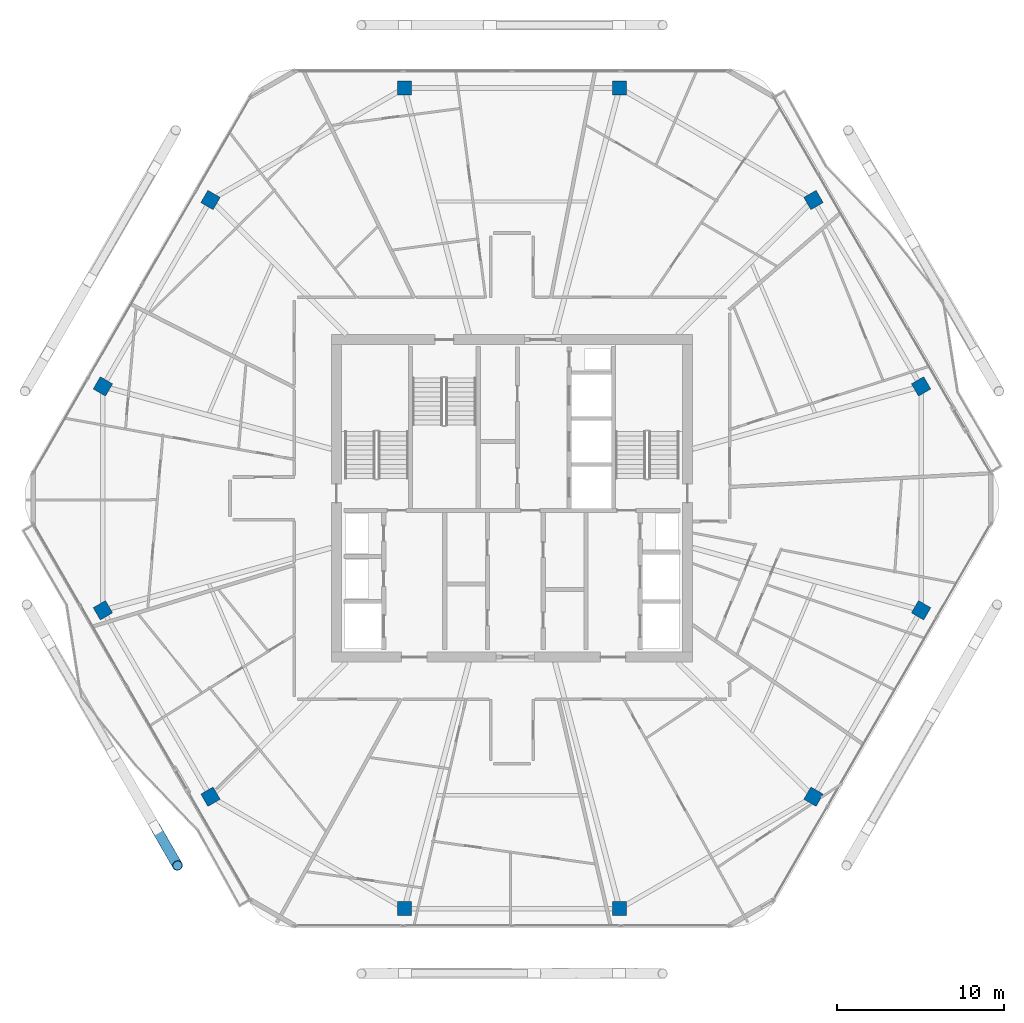
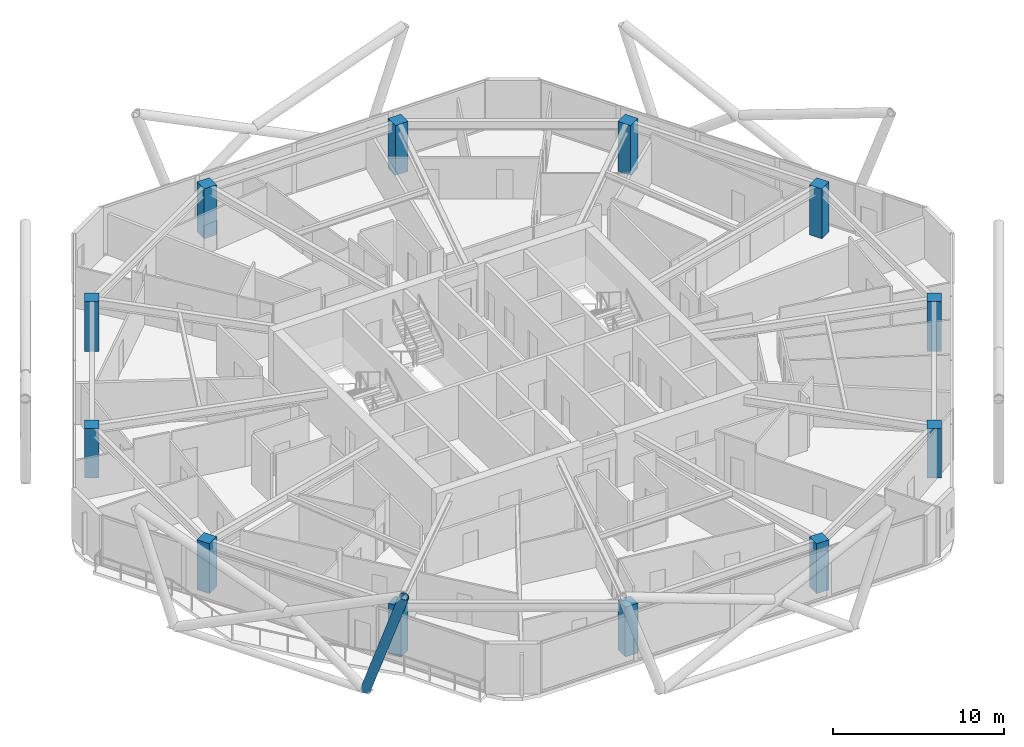
# One storey, part 1 of 28: 12 columns, 1 member.
"""IFC4 building model written with IfcOpenShell, lengths in metres."""

from ifc_helpers import new_model, si_unit, direction, frame, origin, origin_2d, place, context, subcontext, project, spatial, rectangle, hollow_circle, extrude, material, material_profile, profile_set, type_object, element, save


model = new_model("IFC4")

# Units and contexts
model_context = context("Model", 3, precision=1e-05, world=origin(), true_north=direction((0.0, 1.0)))
body_context = subcontext(model_context, "Body", "Model", "MODEL_VIEW")
ifc_project = project(units=[si_unit("LENGTHUNIT", "METRE"), si_unit("AREAUNIT", "SQUARE_METRE"), si_unit("VOLUMEUNIT", "CUBIC_METRE"), si_unit("PLANEANGLEUNIT", "RADIAN"), si_unit("MASSUNIT", "GRAM", prefix="KILO")], contexts=[model_context])

# Site, building, storey
site_placement = place(None, origin())
site = spatial("IfcSite", under=ifc_project, at=site_placement, CompositionType="ELEMENT")
building_placement = place(site_placement, origin())
building = spatial("IfcBuilding", under=site, at=building_placement, Name="Zuhravey Tower", CompositionType="ELEMENT")
storey_placement = place(building_placement, frame((0.0, 0.0, 284.39990234375)))
storey = spatial("IfcBuildingStorey", under=building, at=storey_placement, Name="L72", CompositionType="ELEMENT", Elevation=284.39990234375)

# Columns
ifc_material_1 = material(Name="Concrete C50/60", Category="concrete")
ifc_material_profile_1 = material_profile(ifc_material_1, rectangle(XDim=0.85009765625, YDim=0.85009765625, at=origin_2d()), Name="RC-850x850")
ifc_profile_set_1 = profile_set([ifc_material_profile_1], Name="Concrete C50/60")
column_type = type_object("IfcColumnType", Name="Zone 3 Upper Column 850x850", PredefinedType="COLUMN", material=ifc_profile_set_1)
for number, where, z_axis, x_axis, name in (
    (1, (60.484619140625, 38.698974609375, 0.0), (0.0, 0.0, 1.0), (-0.5, 0.866025403784, 0.0), "L72 Perimeter Column PC01"),
    (2, (54.043701171875, 49.854736328125, 0.0), (0.0, 0.0, 1.0), (-0.5, 0.866025403784, 0.0), "L72 Perimeter Column PC02"),
    (3, (42.44091796875, 56.5537109375, 0.0), (0.0, 0.0, 1.0), (-1.0, 0.0, 0.0), "L72 Perimeter Column PC03"),
    (4, (29.55908203125, 56.5537109375, 0.0), (0.0, 0.0, 1.0), (-1.0, 0.0, 0.0), "L72 Perimeter Column PC04"),
    (5, (17.956298828125, 49.854736328125, 0.0), (0.0, 0.0, 1.0), (-0.5, -0.866025403784, 0.0), "L72 Perimeter Column PC05"),
    (6, (11.515380859375, 38.698974609375, 0.0), (0.0, 0.0, 1.0), (-0.5, -0.866025403784, 0.0), "L72 Perimeter Column PC06"),
    (7, (11.515380859375, 25.301025390625, 0.0), (0.0, 0.0, 1.0), (0.5, -0.866025403784, 0.0), "L72 Perimeter Column PC07"),
    (8, (17.956298828125, 14.145263671875, 0.0), (0.0, 0.0, 1.0), (0.5, -0.866025403784, 0.0), "L72 Perimeter Column PC08"),
    (9, (29.55908203125, 7.4462890625, 0.0), (0.0, 0.0, 1.0), (1.0, 0.0, 0.0), "L72 Perimeter Column PC09"),
    (10, (42.44091796875, 7.4462890625, 0.0), (0.0, 0.0, 1.0), (1.0, 0.0, 0.0), "L72 Perimeter Column PC10"),
    (11, (54.043701171875, 14.145263671875, 0.0), (0.0, 0.0, 1.0), (0.5, 0.866025403784, 0.0), "L72 Perimeter Column PC11"),
    (12, (60.484619140625, 25.301025390625, 0.0), (0.0, 0.0, 1.0), (0.5, 0.866025403784, 0.0), "L72 Perimeter Column PC12"),
):
    element("IfcColumn", number, at=place(storey_placement, frame(where, z_axis=z_axis, x_axis=x_axis)), inside=storey, type_object=column_type, Name=name, PredefinedType="COLUMN", context=body_context, shape_type="SweptSolid", body=[
        extrude(rectangle(XDim=0.85009765625, YDim=0.85009765625, at=origin_2d()), origin(), (0.0, 0.0, 1.0), 3.550048828125),
    ])

# Member
ifc_material_2 = material(Name="Steel SM355", Category="steel")
ifc_material_profile_2 = material_profile(ifc_material_2, hollow_circle(Radius=0.3046875, WallThickness=0.028076171875, at=origin_2d()), Name="CHS-609.6x28")
ifc_profile_set_2 = profile_set([ifc_material_profile_2], Name="Steel SM355")
member_type = type_object("IfcMemberType", Name="Exoskeleton Zone 3 Diagrid CHS610x28", PredefinedType="BRACE", material=ifc_profile_set_2)
member_placement = place(storey_placement, frame((14.677978515625, 12.28369140625, -0.44580078125), z_axis=(0.163029217662, -0.282394798701, 0.945343668649), x_axis=(0.866040668696, 0.499973559465, 0.0)))
element("IfcMember", 13, at=member_placement, inside=storey, type_object=member_type, Name="L72 Face 4 Diagrid Brace 4", PredefinedType="BRACE", context=body_context, shape_type="SweptSolid", body=[
    extrude(hollow_circle(Radius=0.3046875, WallThickness=0.028076171875, at=origin_2d()), origin(), (0.0, 0.0, 1.0), 8.001220703125),
])

save(model, "model.ifc")
